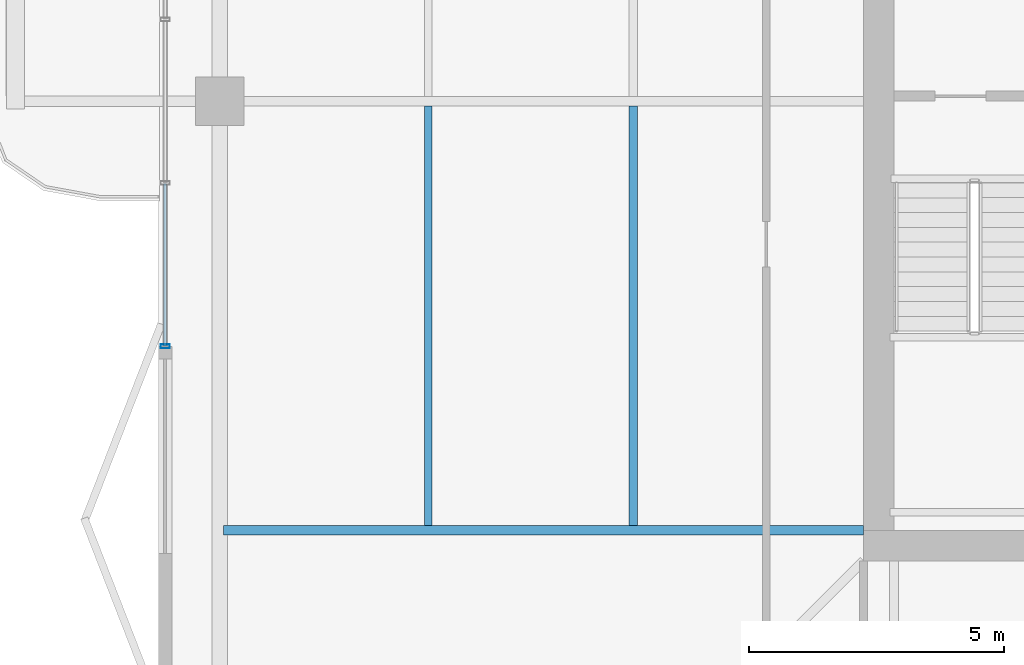
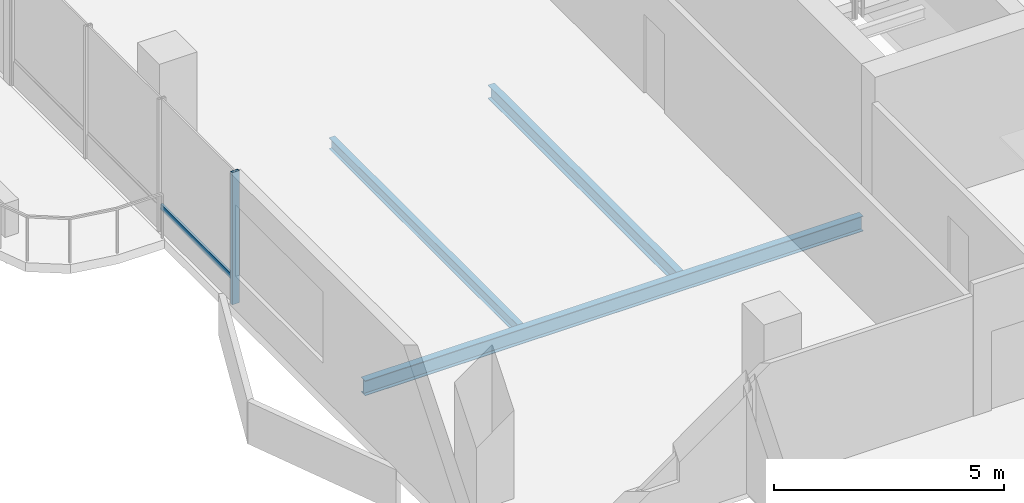
# One storey, part 5 of 17: 3 beams, 2 members, 1 element without a shape of its own.
"""IFC4 building model written with IfcOpenShell, lengths in metres."""

from ifc_helpers import new_model, si_unit, direction, frame, origin, origin_2d, place, context, subcontext, project, spatial, hollow_rectangle, i_section, extrude, material, layer, layer_set, material_profile, profile_set, type_object, element, aggregate, save


model = new_model("IFC4")

# Units and contexts
model_context = context("Model", 3, precision=1e-05, world=origin(), true_north=direction((0.0, 1.0)))
body_context = subcontext(model_context, "Body", "Model", "MODEL_VIEW")
ifc_project = project(units=[si_unit("LENGTHUNIT", "METRE"), si_unit("AREAUNIT", "SQUARE_METRE"), si_unit("VOLUMEUNIT", "CUBIC_METRE"), si_unit("PLANEANGLEUNIT", "RADIAN"), si_unit("MASSUNIT", "GRAM", prefix="KILO")], contexts=[model_context])

# Site, building, storey
site_placement = place(None, origin())
site = spatial("IfcSite", under=ifc_project, at=site_placement, CompositionType="ELEMENT")
building_placement = place(site_placement, origin())
building = spatial("IfcBuilding", under=site, at=building_placement, Name="Belovzor Exchange Tower", CompositionType="ELEMENT")
storey_placement = place(building_placement, frame((0.0, 0.0, 303.0)))
storey = spatial("IfcBuildingStorey", under=building, at=storey_placement, Name="L75", CompositionType="ELEMENT", Elevation=303.0)

# Beams
ifc_material_1 = material(Name="Steel S355", Category="steel")
ifc_material_profile_1 = material_profile(ifc_material_1, i_section(OverallWidth=0.169921875, OverallDepth=0.360107421875, WebThickness=0.008056640625, FlangeThickness=0.0126953125, at=origin_2d()))
ifc_profile_set_1 = profile_set([ifc_material_profile_1], Name="Steel S355")
beam_type_1 = type_object("IfcBeamType", Name="Secondary Infill Floor Joist IPE 360", PredefinedType="BEAM", material=ifc_profile_set_1)
beam_1_placement = place(storey_placement, frame((15.291015625, 20.489990234375, -0.419921875), z_axis=(0.0, 1.0, 0.0), x_axis=(-1.0, 0.0, 0.0)))
element("IfcBeam", 1, at=beam_1_placement, inside=storey, type_object=beam_type_1, Name="FJ-360 Secondary Infill Floor Joist IPE 360", PredefinedType="BEAM", context=body_context, shape_type="SweptSolid", body=[
    extrude(i_section(OverallWidth=0.169921875, OverallDepth=0.360107421875, WebThickness=0.008056640625, FlangeThickness=0.0126953125, at=origin_2d()), origin(), (0.0, 0.0, 1.0), 8.219970703125),
])
ifc_material_2 = material(Name="Steel S355", Category="steel")
ifc_material_profile_2 = material_profile(ifc_material_2, i_section(OverallWidth=0.14990234375, OverallDepth=0.300048828125, WebThickness=0.007080078125, FlangeThickness=0.0107421875, at=origin_2d()))
ifc_profile_set_2 = profile_set([ifc_material_profile_2], Name="Steel S355")
beam_type_2 = type_object("IfcBeamType", Name="Secondary Trim Floor Joist IPE 300", PredefinedType="BEAM", material=ifc_profile_set_2)
beam_2_placement = place(storey_placement, frame((11.282958984375, 20.489990234375, -0.389892578125), z_axis=(0.0, 1.0, 0.0), x_axis=(-1.0, 0.0, 0.0)))
element("IfcBeam", 2, at=beam_2_placement, inside=storey, type_object=beam_type_2, Name="FJ-300 Secondary Trim Floor Joist IPE 300", PredefinedType="BEAM", context=body_context, shape_type="SweptSolid", body=[
    extrude(i_section(OverallWidth=0.14990234375, OverallDepth=0.300048828125, WebThickness=0.007080078125, FlangeThickness=0.0107421875, at=origin_2d()), origin(), (0.0, 0.0, 1.0), 8.219970703125),
])

# Curtain wall, members
ifc_material_3 = material(Name="Anodised Aluminium Framing", Category="aluminium")
ifc_layer = layer(ifc_material_3, 0.179931640625)
ifc_layer_set = layer_set([ifc_layer], Name="Anodised Aluminium Framing")
curtain_wall_type = type_object("IfcCurtainWallType", Name="Recessed Loggia Low-Iron Triple-Glazed Curtain Wall", PredefinedType="NOTDEFINED", material=ifc_layer_set)
curtain_wall_placement = place(storey_placement, origin())
curtain_wall = element("IfcCurtainWall", 3, at=curtain_wall_placement, inside=storey, type_object=curtain_wall_type, Name="CW3 Recessed Loggia Low-Iron Triple-Glazed Curtain Wall L75", PredefinedType="NOTDEFINED")
ifc_material_4 = material(Name="Steel S355", Category="steel")
ifc_material_profile_3 = material_profile(ifc_material_4, hollow_rectangle(XDim=0.074951171875, YDim=0.179931640625, WallThickness=0.0048828125, at=origin_2d()))
ifc_profile_set_3 = profile_set([ifc_material_profile_3], Name="Steel S355")
member_type_1 = type_object("IfcMemberType", Name="Thermally Broken Curtain Wall Mullion 180x75", PredefinedType="MULLION", material=ifc_profile_set_3)
member_1_placement = place(storey_placement, frame((6.1298828125, 24.0, 0.0), z_axis=(0.0, 0.0, 1.0), x_axis=(0.0, 1.0, 0.0)))
member_1 = element("IfcMember", 4, at=member_1_placement, type_object=member_type_1, Name="CW-M180 Curtain Wall Mullion 1", PredefinedType="MULLION", context=body_context, shape_type="SweptSolid", body=[
    extrude(hollow_rectangle(XDim=0.074951171875, YDim=0.179931640625, WallThickness=0.0048828125, at=origin_2d()), origin(), (0.0, 0.0, 1.0), 3.510009765625),
])
ifc_material_5 = material(Name="Steel S355", Category="steel")
ifc_material_profile_4 = material_profile(ifc_material_5, hollow_rectangle(XDim=0.06005859375, YDim=0.14990234375, WallThickness=0.00390625, at=origin_2d()))
ifc_profile_set_4 = profile_set([ifc_material_profile_4], Name="Steel S355")
member_type_2 = type_object("IfcMemberType", Name="Thermally Broken Curtain Wall Transom 150x60", PredefinedType="USERDEFINED", material=ifc_profile_set_4)
member_2_placement = place(storey_placement, frame((6.1298828125, 24.008056640625, 0.632080078125), z_axis=(0.0, 1.0, 0.0), x_axis=(-1.0, 0.0, 0.0)))
member_2 = element("IfcMember", 5, at=member_2_placement, type_object=member_type_2, Name="CW-T150 Curtain Wall Transom 1", ObjectType="TRANSOM", PredefinedType="USERDEFINED", context=body_context, shape_type="SweptSolid", body=[
    extrude(hollow_rectangle(XDim=0.06005859375, YDim=0.14990234375, WallThickness=0.00390625, at=origin_2d()), origin(), (0.0, 0.0, 1.0), 3.183837890625),
])
aggregate(curtain_wall, [member_1, member_2])

# Beam
ifc_material_6 = material(Name="Steel S355", Category="steel")
ifc_material_profile_5 = material_profile(ifc_material_6, i_section(OverallWidth=0.179931640625, OverallDepth=0.39990234375, WebThickness=0.008544921875, FlangeThickness=0.013427734375, at=origin_2d()))
ifc_profile_set_5 = profile_set([ifc_material_profile_5], Name="Steel S355")
beam_type_3 = type_object("IfcBeamType", Name="Zone 5-6 Radial Composite Floor Beam IPE 400", PredefinedType="BEAM", material=ifc_profile_set_5)
beam_3_placement = place(storey_placement, frame((19.800048828125, 20.39990234375, -0.43994140625), z_axis=(-1.0, 0.0, 0.0), x_axis=(0.0, -1.0, 0.0)))
element("IfcBeam", 6, at=beam_3_placement, inside=storey, type_object=beam_type_3, Name="FB-400 Zone 5-6 Radial Composite Floor Beam IPE 400", PredefinedType="BEAM", context=body_context, shape_type="SweptSolid", body=[
    extrude(i_section(OverallWidth=0.179931640625, OverallDepth=0.39990234375, WebThickness=0.008544921875, FlangeThickness=0.013427734375, at=origin_2d()), origin(), (0.0, 0.0, 1.0), 12.525146484375),
])

save(model, "model.ifc")
